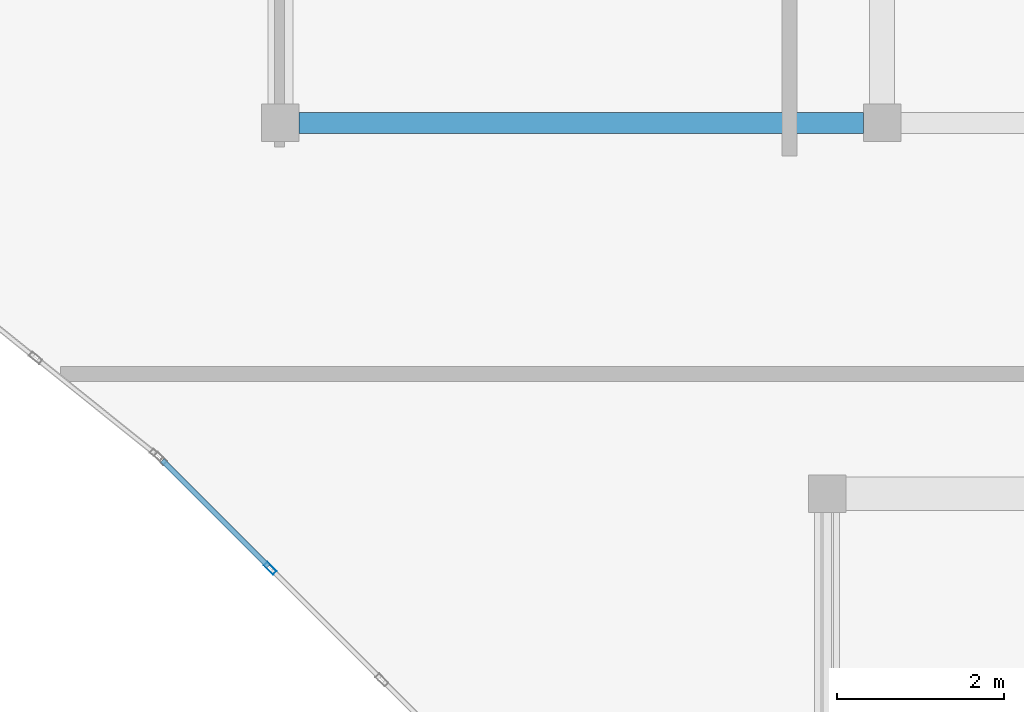
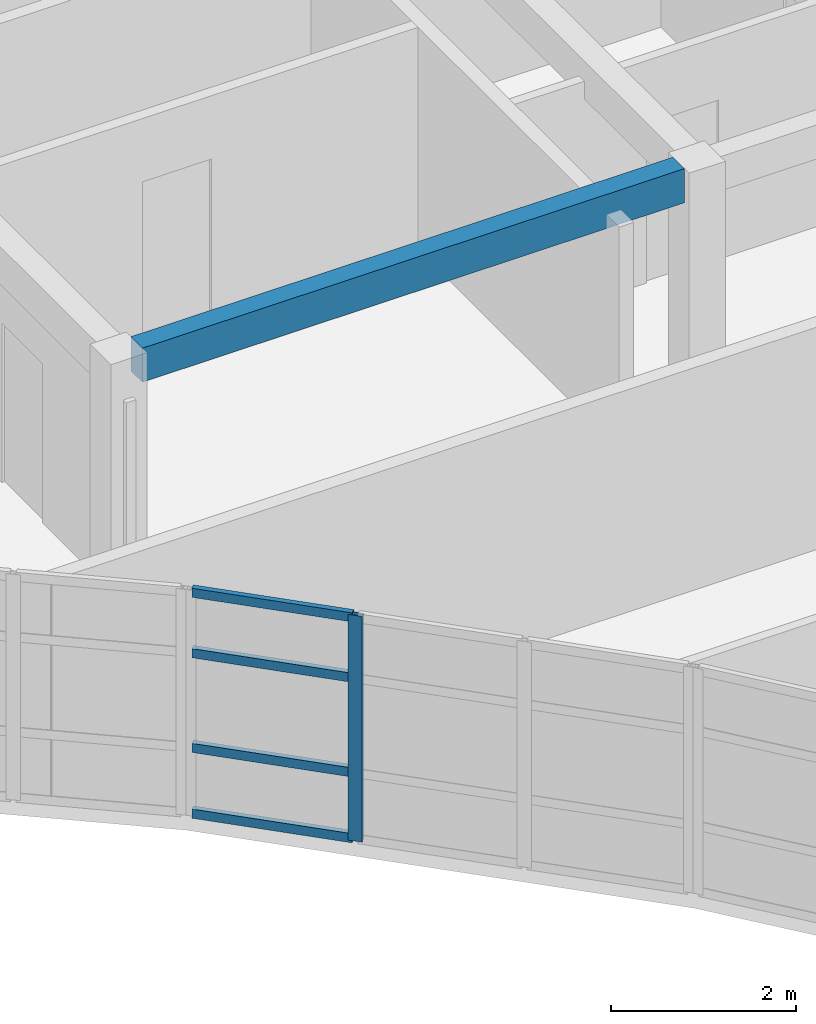
# One storey, part 6 of 14: 5 members, 1 beam, 1 element without a shape of its own.
"""IFC4 building model written with IfcOpenShell, lengths in metres."""

from ifc_helpers import new_model, si_unit, direction, frame, origin, origin_2d, place, context, subcontext, project, spatial, rectangle, hollow_rectangle, extrude, material, layer, layer_set, material_profile, profile_set, type_object, element, aggregate, save


model = new_model("IFC4")

# Units and contexts
model_context = context("Model", 3, precision=1e-05, world=origin(), true_north=direction((0.0, 1.0)))
body_context = subcontext(model_context, "Body", "Model", "MODEL_VIEW")
ifc_project = project(units=[si_unit("LENGTHUNIT", "METRE"), si_unit("AREAUNIT", "SQUARE_METRE"), si_unit("VOLUMEUNIT", "CUBIC_METRE"), si_unit("PLANEANGLEUNIT", "RADIAN"), si_unit("MASSUNIT", "GRAM", prefix="KILO")], contexts=[model_context])

# Site, building, storey
site_placement = place(None, origin())
site = spatial("IfcSite", under=ifc_project, at=site_placement, CompositionType="ELEMENT")
building_placement = place(site_placement, origin())
building = spatial("IfcBuilding", under=site, at=building_placement, Name="Keldmere Railside Commons", CompositionType="ELEMENT")
storey_placement = place(building_placement, frame((0.0, 0.0, 42.56005859375)))
storey = spatial("IfcBuildingStorey", under=building, at=storey_placement, Name="L13", CompositionType="ELEMENT", Elevation=42.56005859375)

# Beam
ifc_material_1 = material(Name="Architectural Precast Concrete H-35 (C35/45)", Category="concrete")
ifc_material_profile_1 = material_profile(ifc_material_1, rectangle(XDim=0.25, YDim=0.449951171875, at=origin_2d()), Name="RC-250x450")
ifc_profile_set_1 = profile_set([ifc_material_profile_1], Name="Architectural Precast Concrete H-35 (C35/45)")
beam_type = type_object("IfcBeamType", Name="Perimeter Precast Spandrel Beam 250x450", PredefinedType="SPANDREL", material=ifc_profile_set_1)
beam_placement = place(storey_placement, frame((162.114990234375, 100.449951171875, 2.974853515625), z_axis=(1.0, 0.0, 0.0), x_axis=(0.0, 1.0, 0.0)))
element("IfcBeam", 1, at=beam_placement, inside=storey, type_object=beam_type, Name="SPB-1 BM-L13-2520", PredefinedType="SPANDREL", context=body_context, shape_type="SweptSolid", body=[
    extrude(rectangle(XDim=0.25, YDim=0.449951171875, at=origin_2d()), origin(), (0.0, 0.0, 1.0), 6.77001953125),
])

# Curtain wall, members
ifc_material_2 = material(Name="Thermally Broken Aluminium", Category="aluminium")
ifc_layer = layer(ifc_material_2, 0.159912109375, Name="Court Chord Wintergarden CW 4800x2850")
ifc_layer_set = layer_set([ifc_layer], Name="Thermally Broken Aluminium")
curtain_wall_type = type_object("IfcCurtainWallType", Name="Court Chord Wintergarden CW 4800x2850", PredefinedType="NOTDEFINED", material=ifc_layer_set)
curtain_wall_placement = place(storey_placement, origin())
curtain_wall = element("IfcCurtainWall", 2, at=curtain_wall_placement, inside=storey, type_object=curtain_wall_type, Name="CW-12 CW-L13-197", PredefinedType="NOTDEFINED")
ifc_material_profile_2 = material_profile(ifc_material_2, hollow_rectangle(XDim=0.06494140625, YDim=0.159912109375, WallThickness=0.00390625, at=origin_2d()), Name="ALU-MULL-65x160")
ifc_profile_set_2 = profile_set([ifc_material_profile_2], Name="Thermally Broken Aluminium")
member_type_1 = type_object("IfcMemberType", Name="Unitised Curtain Wall Mullion 65x160", PredefinedType="MULLION", material=ifc_profile_set_2)
member_1_placement = place(storey_placement, frame((161.7685546875, 95.107421875, 0.0), z_axis=(0.0, 0.0, 1.0), x_axis=(-0.707106781187, -0.707106781187, 0.0)))
member_1 = element("IfcMember", 3, at=member_1_placement, type_object=member_type_1, Name="CW-12 mullion 3", PredefinedType="MULLION", context=body_context, shape_type="SweptSolid", body=[
    extrude(hollow_rectangle(XDim=0.06494140625, YDim=0.159912109375, WallThickness=0.00390625, at=origin_2d()), origin(), (0.0, 0.0, 1.0), 2.97998046875),
])
ifc_material_profile_3 = material_profile(ifc_material_2, hollow_rectangle(XDim=0.06494140625, YDim=0.1201171875, WallThickness=0.00390625, at=origin_2d()), Name="ALU-TRAN-65x120")
ifc_profile_set_3 = profile_set([ifc_material_profile_3], Name="Thermally Broken Aluminium")
member_type_2 = type_object("IfcMemberType", Name="Unitised Curtain Wall Transom 65x120", PredefinedType="USERDEFINED", material=ifc_profile_set_3)
member_2_placement = place(storey_placement, frame((161.74560546875, 95.13037109375, 0.032470703125), z_axis=(-0.707038793419, 0.707174762418, 0.0), x_axis=(-0.707174762418, -0.707038793419, 0.0)))
member_2 = element("IfcMember", 4, at=member_2_placement, type_object=member_type_2, Name="CW-12 transom 3.1", ObjectType="TRANSOM", PredefinedType="USERDEFINED", context=body_context, shape_type="SweptSolid", body=[
    extrude(hollow_rectangle(XDim=0.06494140625, YDim=0.1201171875, WallThickness=0.00390625, at=origin_2d()), origin(), (0.0, 0.0, 1.0), 1.795654296875),
])
member_3_placement = place(storey_placement, frame((161.74560546875, 95.13037109375, 0.89990234375), z_axis=(-0.707038793419, 0.707174762418, 0.0), x_axis=(-0.707174762418, -0.707038793419, 0.0)))
member_3 = element("IfcMember", 5, at=member_3_placement, type_object=member_type_2, Name="CW-12 transom 3.2", ObjectType="TRANSOM", PredefinedType="USERDEFINED", context=body_context, shape_type="SweptSolid", body=[
    extrude(hollow_rectangle(XDim=0.06494140625, YDim=0.1201171875, WallThickness=0.00390625, at=origin_2d()), origin(), (0.0, 0.0, 1.0), 1.795654296875),
])
member_4_placement = place(storey_placement, frame((161.74560546875, 95.13037109375, 2.14990234375), z_axis=(-0.707038793419, 0.707174762418, 0.0), x_axis=(-0.707174762418, -0.707038793419, 0.0)))
member_4 = element("IfcMember", 6, at=member_4_placement, type_object=member_type_2, Name="CW-12 transom 3.3", ObjectType="TRANSOM", PredefinedType="USERDEFINED", context=body_context, shape_type="SweptSolid", body=[
    extrude(hollow_rectangle(XDim=0.06494140625, YDim=0.1201171875, WallThickness=0.00390625, at=origin_2d()), origin(), (0.0, 0.0, 1.0), 1.795654296875),
])
member_5_placement = place(storey_placement, frame((161.74560546875, 95.13037109375, 2.947509765625), z_axis=(-0.707038793419, 0.707174762418, 0.0), x_axis=(-0.707174762418, -0.707038793419, 0.0)))
member_5 = element("IfcMember", 7, at=member_5_placement, type_object=member_type_2, Name="CW-12 transom 3.4", ObjectType="TRANSOM", PredefinedType="USERDEFINED", context=body_context, shape_type="SweptSolid", body=[
    extrude(hollow_rectangle(XDim=0.06494140625, YDim=0.1201171875, WallThickness=0.00390625, at=origin_2d()), origin(), (0.0, 0.0, 1.0), 1.795654296875),
])
aggregate(curtain_wall, [member_1, member_2, member_3, member_4, member_5])

save(model, "model.ifc")
